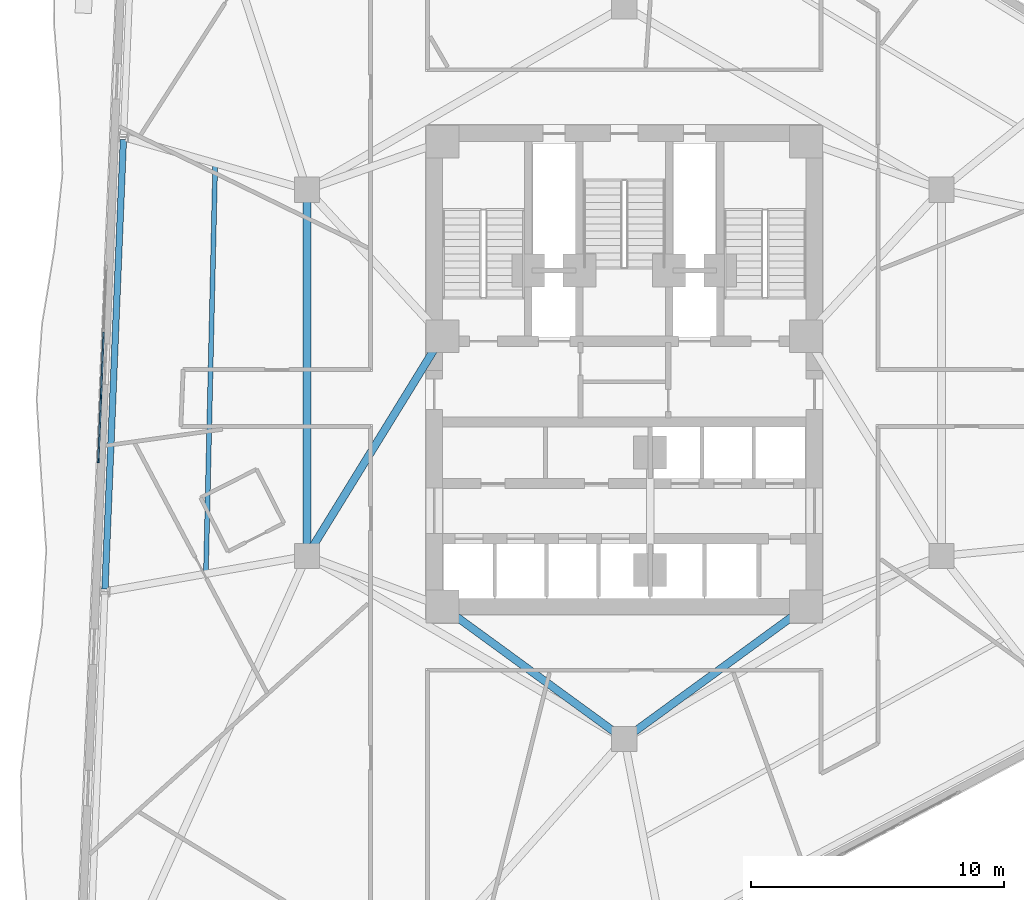
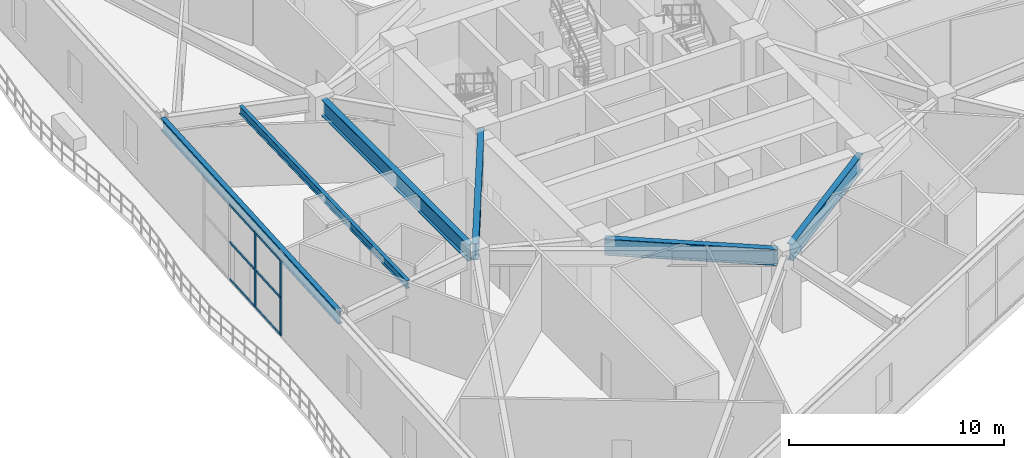
# One storey, part 5 of 22: 8 members, 6 beams, 1 element without a shape of its own.
"""IFC4 building model written with IfcOpenShell, lengths in metres."""

from ifc_helpers import new_model, si_unit, direction, frame, origin, origin_2d, place, context, subcontext, project, spatial, rectangle, i_section, extrude, material, layer, layer_set, material_profile, profile_set, type_object, element, aggregate, save


model = new_model("IFC4")

# Units and contexts
model_context = context("Model", 3, precision=1e-05, world=origin(), true_north=direction((0.0, 1.0)))
body_context = subcontext(model_context, "Body", "Model", "MODEL_VIEW")
ifc_project = project(units=[si_unit("LENGTHUNIT", "METRE"), si_unit("AREAUNIT", "SQUARE_METRE"), si_unit("VOLUMEUNIT", "CUBIC_METRE"), si_unit("PLANEANGLEUNIT", "RADIAN"), si_unit("MASSUNIT", "GRAM", prefix="KILO")], contexts=[model_context])

# Site, building, storey
site_placement = place(None, origin())
site = spatial("IfcSite", under=ifc_project, at=site_placement, CompositionType="ELEMENT")
building_placement = place(site_placement, origin())
building = spatial("IfcBuilding", under=site, at=building_placement, Name="Apsidion Concourse Tower", CompositionType="ELEMENT")
storey_placement = place(building_placement, frame((0.0, 0.0, 160.89990234375)))
storey = spatial("IfcBuildingStorey", under=building, at=storey_placement, Name="L37", CompositionType="ELEMENT", Elevation=160.89990234375)

# Beams
ifc_material_1 = material(Name="Structural steel ASTM A992 Grade 50", Category="steel")
ifc_material_profile_1 = material_profile(ifc_material_1, i_section(OverallWidth=0.19091796875, OverallDepth=0.45703125, WebThickness=0.009033203125, FlangeThickness=0.014404296875, at=origin_2d()), Name="W18X50")
ifc_profile_set_1 = profile_set([ifc_material_profile_1], Name="Structural steel ASTM A992 Grade 50")
beam_type_1 = type_object("IfcBeamType", Name="BM-FL-W18", PredefinedType="BEAM", material=ifc_profile_set_1)
beam_1_placement = place(storey_placement, frame((-16.192138671875, 8.29248046875, 4.12158203125), z_axis=(-0.022697860677, -0.999742370374, 0.0), x_axis=(0.999742370374, -0.022697860677, 0.0)))
element("IfcBeam", 1, at=beam_1_placement, inside=storey, type_object=beam_type_1, Name="L37 Secondary Floor Beam SEC-F1", PredefinedType="BEAM", context=body_context, shape_type="SweptSolid", body=[
    extrude(i_section(OverallWidth=0.19091796875, OverallDepth=0.45703125, WebThickness=0.009033203125, FlangeThickness=0.014404296875, at=origin_2d()), origin(), (0.0, 0.0, 1.0), 16.25244140625),
])
ifc_material_profile_2 = material_profile(ifc_material_1, i_section(OverallWidth=0.31005859375, OverallDepth=0.931884765625, WebThickness=0.02099609375, FlangeThickness=0.034423828125, at=origin_2d()), Name="W36X210")
ifc_profile_set_2 = profile_set([ifc_material_profile_2], Name="Structural steel ASTM A992 Grade 50")
beam_type_2 = type_object("IfcBeamType", Name="BM-G-W36", PredefinedType="USERDEFINED", material=ifc_profile_set_2)
beam_2_placement = place(storey_placement, frame((-12.35009765625, -6.909423828125, 3.884033203125), z_axis=(0.524524009763, 0.851395656074, 0.0), x_axis=(-0.851395656074, 0.524524009763, 0.0)))
element("IfcBeam", 2, at=beam_2_placement, inside=storey, type_object=beam_type_2, Name="L37 Core Coupling Girder IC1-SC6", ObjectType="GIRDER", PredefinedType="USERDEFINED", context=body_context, shape_type="SweptSolid", body=[
    extrude(i_section(OverallWidth=0.31005859375, OverallDepth=0.931884765625, WebThickness=0.02099609375, FlangeThickness=0.034423828125, at=origin_2d()), origin(), (0.0, 0.0, 1.0), 9.41845703125),
])
for number, where, z_axis, x_axis, name in (
    (3, (-0.3232421875, -14.264404296875, 3.884033203125), (-0.807993498909, 0.589191399905, 0.0), (-0.589191399905, -0.807993498909, 0.0), "L37 Core Coupling Girder IC6-SC1"),
    (4, (0.3232421875, -14.264404296875, 3.884033203125), (0.807993498909, 0.589191399905, 0.0), (-0.589191399905, 0.807993498909, 0.0), "L37 Core Coupling Girder IC6-SC2"),
):
    element("IfcBeam", number, at=place(storey_placement, frame(where, z_axis=z_axis, x_axis=x_axis)), inside=storey, type_object=beam_type_2, Name=name, ObjectType="GIRDER", PredefinedType="USERDEFINED", context=body_context, shape_type="SweptSolid", body=[
        extrude(i_section(OverallWidth=0.31005859375, OverallDepth=0.931884765625, WebThickness=0.02099609375, FlangeThickness=0.034423828125, at=origin_2d()), origin(), (0.0, 0.0, 1.0), 8.11083984375),
    ])
beam_3_placement = place(storey_placement, frame((-12.56005859375, -6.85009765625, 3.884033203125), z_axis=(0.0, 1.0, 0.0), x_axis=(-1.0, 0.0, 0.0)))
element("IfcBeam", 5, at=beam_3_placement, inside=storey, type_object=beam_type_2, Name="L37 Core Coupling Girder IC1-IC5", ObjectType="GIRDER", PredefinedType="USERDEFINED", context=body_context, shape_type="SweptSolid", body=[
    extrude(i_section(OverallWidth=0.31005859375, OverallDepth=0.931884765625, WebThickness=0.02099609375, FlangeThickness=0.034423828125, at=origin_2d()), origin(), (0.0, 0.0, 1.0), 13.7001953125),
])
ifc_material_profile_3 = material_profile(ifc_material_1, i_section(OverallWidth=0.256103515625, OverallDepth=0.693115234375, WebThickness=0.014404296875, FlangeThickness=0.023681640625, at=origin_2d()), Name="W27X114")
ifc_profile_set_3 = profile_set([ifc_material_profile_3], Name="Structural steel ASTM A992 Grade 50")
beam_type_3 = type_object("IfcBeamType", Name="BM-SP-W27", PredefinedType="SPANDREL", material=ifc_profile_set_3)
beam_4_placement = place(storey_placement, frame((-19.828125, 9.235107421875, 4.003662109375), z_axis=(-0.040970317559, -0.999160364045, 0.0), x_axis=(0.999160364045, -0.040970317559, 0.0)))
element("IfcBeam", 6, at=beam_4_placement, inside=storey, type_object=beam_type_3, Name="L37 Perimeter Spandrel Girder SP-02", PredefinedType="SPANDREL", context=body_context, shape_type="SweptSolid", body=[
    extrude(i_section(OverallWidth=0.256103515625, OverallDepth=0.693115234375, WebThickness=0.014404296875, FlangeThickness=0.023681640625, at=origin_2d()), origin(), (0.0, 0.0, 1.0), 17.811279296875),
])

# Curtain wall, members
ifc_material_2 = material(Name="Insulated laminated low-E glass", Category="glass")
ifc_layer = layer(ifc_material_2, 0.2099609375)
ifc_layer_set = layer_set([ifc_layer], Name="Insulated laminated low-E glass")
curtain_wall_type = type_object("IfcCurtainWallType", Name="CW-SYS-03", PredefinedType="NOTDEFINED", material=ifc_layer_set)
curtain_wall_placement = place(storey_placement, origin())
curtain_wall = element("IfcCurtainWall", 7, at=curtain_wall_placement, inside=storey, type_object=curtain_wall_type, Name="L37 Sky Lobby Curtain Wall 9", PredefinedType="NOTDEFINED")
ifc_material_3 = material(Name="Anodised aluminium EN AW-6063 T6", Category="aluminium")
ifc_material_profile_4 = material_profile(ifc_material_3, rectangle(XDim=0.06494140625, YDim=0.179931640625, at=origin_2d()), Name="ALU MULLION 65x180")
ifc_profile_set_4 = profile_set([ifc_material_profile_4], Name="Anodised aluminium EN AW-6063 T6")
member_type_1 = type_object("IfcMemberType", Name="CWM-65X180", PredefinedType="MULLION", material=ifc_profile_set_4)
member_1_placement = place(storey_placement, frame((-20.81884765625, -3.46923828125, 0.0), z_axis=(0.0, 0.0, 1.0), x_axis=(-0.999166748402, 0.0408143221, 0.0)))
member_1 = element("IfcMember", 8, at=member_1_placement, type_object=member_type_1, Name="CW-03 mullion 1", PredefinedType="MULLION", context=body_context, shape_type="SweptSolid", body=[
    extrude(rectangle(XDim=0.06494140625, YDim=0.179931640625, at=origin_2d()), origin(), (0.0, 0.0, 1.0), 4.300048828125),
])
member_2_placement = place(storey_placement, frame((-20.71533203125, -0.93212890625, 0.0), z_axis=(0.0, 0.0, 1.0), x_axis=(-0.999166748402, 0.0408143221, 0.0)))
member_2 = element("IfcMember", 9, at=member_2_placement, type_object=member_type_1, Name="CW-03 mullion 2", PredefinedType="MULLION", context=body_context, shape_type="SweptSolid", body=[
    extrude(rectangle(XDim=0.06494140625, YDim=0.179931640625, at=origin_2d()), origin(), (0.0, 0.0, 1.0), 4.300048828125),
])
ifc_material_profile_5 = material_profile(ifc_material_3, rectangle(XDim=0.06494140625, YDim=0.139892578125, at=origin_2d()), Name="ALU TRANSOM 65x140")
ifc_profile_set_5 = profile_set([ifc_material_profile_5], Name="Anodised aluminium EN AW-6063 T6")
member_type_2 = type_object("IfcMemberType", Name="CWT-65X140", PredefinedType="USERDEFINED", material=ifc_profile_set_5)
member_3_placement = place(storey_placement, frame((-20.817626953125, -3.436767578125, 0.03271484375), z_axis=(0.040850722693, 0.999165260833, 0.0), x_axis=(-0.999165260833, 0.040850722693, 0.0)))
member_3 = element("IfcMember", 10, at=member_3_placement, type_object=member_type_2, Name="CW-03 transom 1.1", ObjectType="TRANSOM", PredefinedType="USERDEFINED", context=body_context, shape_type="SweptSolid", body=[
    extrude(rectangle(XDim=0.06494140625, YDim=0.139892578125, at=origin_2d()), origin(), (0.0, 0.0, 1.0), 2.47412109375),
])
member_4_placement = place(storey_placement, frame((-20.817626953125, -3.436767578125, 2.150146484375), z_axis=(0.040850722693, 0.999165260833, 0.0), x_axis=(-0.999165260833, 0.040850722693, 0.0)))
member_4 = element("IfcMember", 11, at=member_4_placement, type_object=member_type_2, Name="CW-03 transom 1.2", ObjectType="TRANSOM", PredefinedType="USERDEFINED", context=body_context, shape_type="SweptSolid", body=[
    extrude(rectangle(XDim=0.06494140625, YDim=0.139892578125, at=origin_2d()), origin(), (0.0, 0.0, 1.0), 2.47412109375),
])
member_5_placement = place(storey_placement, frame((-20.817626953125, -3.436767578125, 4.267578125), z_axis=(0.040850722693, 0.999165260833, 0.0), x_axis=(-0.999165260833, 0.040850722693, 0.0)))
member_5 = element("IfcMember", 12, at=member_5_placement, type_object=member_type_2, Name="CW-03 transom 1.3", ObjectType="TRANSOM", PredefinedType="USERDEFINED", context=body_context, shape_type="SweptSolid", body=[
    extrude(rectangle(XDim=0.06494140625, YDim=0.139892578125, at=origin_2d()), origin(), (0.0, 0.0, 1.0), 2.47412109375),
])
member_6_placement = place(storey_placement, frame((-20.7138671875, -0.899658203125, 0.03271484375), z_axis=(0.040804195018, 0.999167162025, 0.0), x_axis=(-0.999167162025, 0.040804195018, 0.0)))
member_6 = element("IfcMember", 13, at=member_6_placement, type_object=member_type_2, Name="CW-03 transom 2.1", ObjectType="TRANSOM", PredefinedType="USERDEFINED", context=body_context, shape_type="SweptSolid", body=[
    extrude(rectangle(XDim=0.06494140625, YDim=0.139892578125, at=origin_2d()), origin(), (0.0, 0.0, 1.0), 2.507080078125),
])
member_7_placement = place(storey_placement, frame((-20.7138671875, -0.899658203125, 2.150146484375), z_axis=(0.040804195018, 0.999167162025, 0.0), x_axis=(-0.999167162025, 0.040804195018, 0.0)))
member_7 = element("IfcMember", 14, at=member_7_placement, type_object=member_type_2, Name="CW-03 transom 2.2", ObjectType="TRANSOM", PredefinedType="USERDEFINED", context=body_context, shape_type="SweptSolid", body=[
    extrude(rectangle(XDim=0.06494140625, YDim=0.139892578125, at=origin_2d()), origin(), (0.0, 0.0, 1.0), 2.507080078125),
])
member_8_placement = place(storey_placement, frame((-20.7138671875, -0.899658203125, 4.267578125), z_axis=(0.040804195018, 0.999167162025, 0.0), x_axis=(-0.999167162025, 0.040804195018, 0.0)))
member_8 = element("IfcMember", 15, at=member_8_placement, type_object=member_type_2, Name="CW-03 transom 2.3", ObjectType="TRANSOM", PredefinedType="USERDEFINED", context=body_context, shape_type="SweptSolid", body=[
    extrude(rectangle(XDim=0.06494140625, YDim=0.139892578125, at=origin_2d()), origin(), (0.0, 0.0, 1.0), 2.507080078125),
])
aggregate(curtain_wall, [member_1, member_2, member_3, member_4, member_5, member_6, member_7, member_8])

save(model, "model.ifc")
